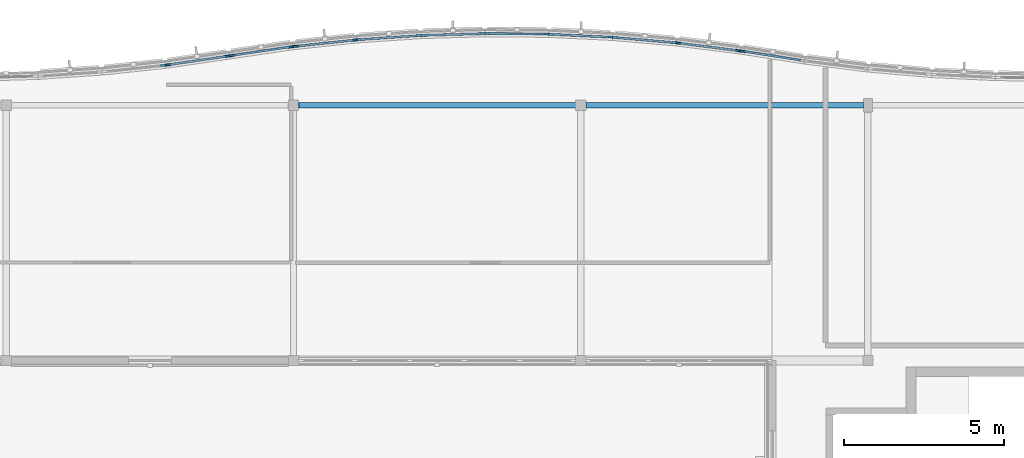
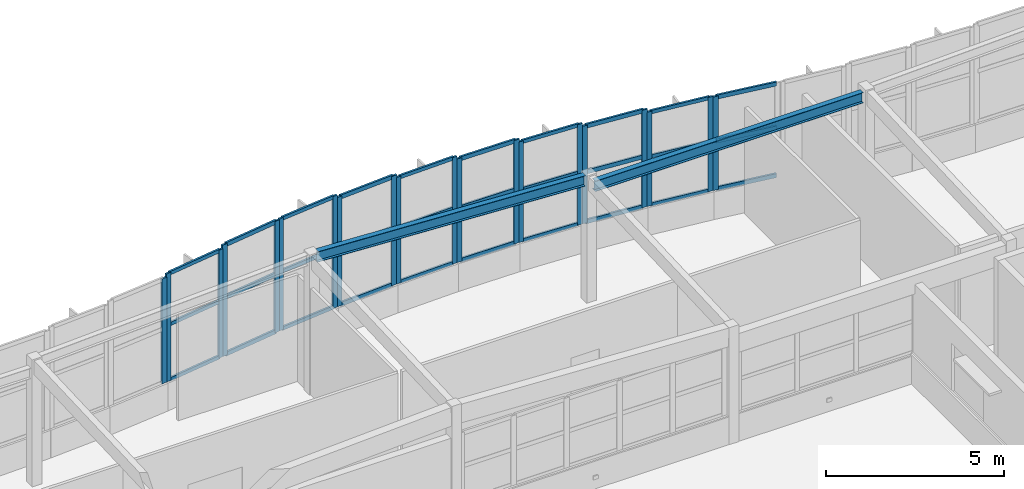
# One storey, part 7 of 20: 50 members, 2 beams, 11 elements without a shape of their own.
"""IFC4 building model written with IfcOpenShell, lengths in metres."""

import ifcopenshell
import ifcopenshell.guid

model = None  # the IFC model being written
_history = None  # IfcOwnerHistory: only IFC2X3 demands one
_inside = {}  # id of a spatial element -> (the spatial element, [elements in it])
_under = {}  # id of a project, library or spatial element -> (it, [spatial elements below it])
_declared = {}  # id of a project -> (the project, [libraries it declares])
_typed = {}  # id of a type object -> (the type object, [elements of that type])
_made_of = {}  # id of a material, layer set ... -> (it, [elements and type objects made of it])


def new_model(schema):
    """Start an empty IFC model of exactly this schema.

    Asked for "IFC4X3", IfcOpenShell would pick the latest addendum, in which some entities
    have other attributes; the version numbers below select the first issue.
    IFC2X3 requires an IfcOwnerHistory on every rooted entity: one is made here for all.
    """
    global model, _history
    if schema == "IFC4X3":
        model = ifcopenshell.file(schema_version=(4, 3, 0, 0))
    else:
        model = ifcopenshell.file(schema=schema)
    _inside.clear()
    _under.clear()
    _declared.clear()
    _typed.clear()
    _made_of.clear()
    _history = None
    if model.schema == "IFC2X3":
        org = make("IfcOrganization", Name="unknown")
        user = make(
            "IfcPersonAndOrganization",
            ThePerson=make("IfcPerson", FamilyName="unknown"),
            TheOrganization=org,
        )
        app = make(
            "IfcApplication",
            ApplicationDeveloper=org,
            Version="unknown",
            ApplicationFullName="unknown",
            ApplicationIdentifier="unknown",
        )
        _history = make(
            "IfcOwnerHistory",
            OwningUser=user,
            OwningApplication=app,
            ChangeAction="ADDED",
            CreationDate=0,
        )
    return model


def make(cls, **values):
    """One entity of the class cls with the attributes given. An attribute that is None is left unset."""
    return model.create_entity(
        cls, **{name: value for name, value in values.items() if value is not None}
    )


def rooted(cls, **values):
    """An entity with a GlobalId (a new one), such as an element, a storey or a relation."""
    return make(cls, GlobalId=ifcopenshell.guid.new(), OwnerHistory=_history, **values)


def si_unit(unit_type, name, prefix=None):
    """IfcSIUnit, for example si_unit("LENGTHUNIT", "METRE", prefix="MILLI")."""
    return make("IfcSIUnit", UnitType=unit_type, Prefix=prefix, Name=name)


def assignment(units):
    """IfcUnitAssignment: the units of a project."""
    return None if units is None else make("IfcUnitAssignment", Units=units)


def point(xyz):
    """IfcCartesianPoint."""
    return None if xyz is None else make("IfcCartesianPoint", Coordinates=xyz)


def direction(xyz):
    """IfcDirection."""
    return None if xyz is None else make("IfcDirection", DirectionRatios=xyz)


def frame(location, z_axis=None, x_axis=None):
    """IfcAxis2Placement3D, a coordinate frame: its origin and axes. An axis left out is left unset."""
    return make(
        "IfcAxis2Placement3D",
        Location=point(location),
        Axis=direction(z_axis),
        RefDirection=direction(x_axis),
    )


def frame_2d(location, x_axis=None):
    """IfcAxis2Placement2D, a coordinate frame in the plane: its origin and x axis."""
    return make(
        "IfcAxis2Placement2D", Location=point(location), RefDirection=direction(x_axis)
    )


def origin():
    """The frame at (0, 0, 0) with its axes left unset."""
    return frame((0.0, 0.0, 0.0))


def origin_2d():
    """The frame at (0, 0) in the plane with its x axis left unset."""
    return frame_2d((0.0, 0.0))


def place(relative_to, where):
    """IfcLocalPlacement: puts the frame where relative to a parent placement (None: the world)."""
    return make(
        "IfcLocalPlacement", PlacementRelTo=relative_to, RelativePlacement=where
    )


def context(
    kind, dimensions, precision=None, world=None, true_north=None, identifier=None
):
    """IfcGeometricRepresentationContext, for example the 3D "Model" context."""
    return make(
        "IfcGeometricRepresentationContext",
        ContextIdentifier=identifier,
        ContextType=kind,
        CoordinateSpaceDimension=dimensions,
        Precision=precision,
        WorldCoordinateSystem=world,
        TrueNorth=true_north,
    )


def subcontext(parent, identifier, kind, view, scale=None):
    """IfcGeometricRepresentationSubContext, for example "Body" below "Model"."""
    return make(
        "IfcGeometricRepresentationSubContext",
        ContextIdentifier=identifier,
        ContextType=kind,
        ParentContext=parent,
        TargetScale=scale,
        TargetView=view,
    )


def project(units=None, contexts=None):
    """IfcProject with its units and contexts."""
    return rooted(
        "IfcProject",
        Name="project",
        RepresentationContexts=contexts,
        UnitsInContext=assignment(units),
    )


def spatial(cls, under=None, at=None, **own):
    """A site, building, storey or space (cls), placed at a placement, below another one or the project."""
    s = rooted(cls, ObjectPlacement=at, **own)
    if under is not None:
        _under.setdefault(under.id(), (under, []))[1].append(s)
    return s


def profile(cls, at=None, kind="AREA", **sizes):
    """A parametric profile (cls). Its sizes go by their IFC names, for example OverallWidth=200.0."""
    return make(cls, ProfileType=kind, Position=at, **sizes)


def rectangle(**sizes):
    """IfcRectangleProfileDef."""
    return profile("IfcRectangleProfileDef", **sizes)


def i_section(**sizes):
    """IfcIShapeProfileDef."""
    return profile("IfcIShapeProfileDef", **sizes)


def extrude(swept, where, along, depth):
    """IfcExtrudedAreaSolid: the profile swept, set in the frame where, extruded along a direction by depth."""
    return make(
        "IfcExtrudedAreaSolid",
        SweptArea=swept,
        Position=where,
        ExtrudedDirection=direction(along),
        Depth=depth,
    )


def shape(context_of_items, identifier, shape_type, items):
    """IfcShapeRepresentation: the items that make up one representation, for example the "Body"."""
    return make(
        "IfcShapeRepresentation",
        ContextOfItems=context_of_items,
        RepresentationIdentifier=identifier,
        RepresentationType=shape_type,
        Items=items,
    )


def material(Name=None, Category=None):
    """IfcMaterial."""
    return make("IfcMaterial", Name=Name, Category=Category)


def layer(
    of_material, thickness, ventilated=None, Name=None, Category=None, Priority=None
):
    """IfcMaterialLayer: one layer of a wall or slab, of a material (None: an air gap)."""
    return make(
        "IfcMaterialLayer",
        Material=of_material,
        LayerThickness=thickness,
        IsVentilated=ventilated,
        Name=Name,
        Category=Category,
        Priority=Priority,
    )


def layer_set(layers, Name=None):
    """IfcMaterialLayerSet."""
    return make("IfcMaterialLayerSet", MaterialLayers=layers, LayerSetName=Name)


def material_profile(
    of_material, cross_section, Name=None, Category=None, Priority=None
):
    """IfcMaterialProfile: a cross section and its material."""
    return make(
        "IfcMaterialProfile",
        Name=Name,
        Material=of_material,
        Profile=cross_section,
        Priority=Priority,
        Category=Category,
    )


def profile_set(profiles, Name=None, composite=None):
    """IfcMaterialProfileSet."""
    return make(
        "IfcMaterialProfileSet",
        Name=Name,
        MaterialProfiles=profiles,
        CompositeProfile=composite,
    )


def made_of(thing, what):
    """Note that an element or type object is made of a material, layer set ...; save() writes the relation."""
    if what is not None:
        _made_of.setdefault(what.id(), (what, []))[1].append(thing)
    return thing


def type_object(cls, material=None, **own):
    """A type object (cls), such as IfcWallType, which elements share."""
    return made_of(rooted(cls, **own), material)


def element(
    cls,
    number,
    at=None,
    inside=None,
    cuts=None,
    type_object=None,
    material=None,
    context=None,
    identifier="Body",
    shape_type=None,
    held_by="IfcProductDefinitionShape",
    body=None,
    shapes=None,
    **own,
):
    """One element of the class cls, such as IfcWall. Its Tag is "e" and its number.

    at: its placement. inside: the storey or other place that contains it. cuts: it is an
    opening in that element (IfcRelVoidsElement). A single representation is given by context,
    identifier, shape_type and body (its items); several are given by shapes. held_by: the class
    of the entity that holds the representations. save() writes the other relations.
    """
    e = rooted(cls, Tag="e%d" % number, ObjectPlacement=at, **own)
    if body is not None:
        shapes = [shape(context, identifier, shape_type, body)]
    if shapes is not None:
        e.Representation = make(held_by, Representations=shapes)
    if inside is not None:
        _inside.setdefault(inside.id(), (inside, []))[1].append(e)
    if cuts is not None:
        rooted(
            "IfcRelVoidsElement", RelatingBuildingElement=cuts, RelatedOpeningElement=e
        )
    if type_object is not None:
        _typed.setdefault(type_object.id(), (type_object, []))[1].append(e)
    return made_of(e, material)


def aggregate(whole, parts):
    """IfcRelAggregates: a whole, such as a stair, and the parts it consists of."""
    return rooted("IfcRelAggregates", RelatingObject=whole, RelatedObjects=parts)


def save(model, path):
    """Write the relations noted so far, then the file.

    IfcRelAggregates (storeys below a building ...), IfcRelContainedInSpatialStructure (elements
    in a storey), IfcRelDefinesByType, IfcRelAssociatesMaterial and IfcRelDeclares: one each for
    every whole, place, type object, material and project.
    """
    for whole, parts in _under.values():
        aggregate(whole, parts)
    for where, things in _inside.values():
        rooted(
            "IfcRelContainedInSpatialStructure",
            RelatedElements=things,
            RelatingStructure=where,
        )
    for kind, things in _typed.values():
        rooted("IfcRelDefinesByType", RelatedObjects=things, RelatingType=kind)
    for what, things in _made_of.values():
        rooted("IfcRelAssociatesMaterial", RelatedObjects=things, RelatingMaterial=what)
    for by, libraries in _declared.values():
        rooted("IfcRelDeclares", RelatingContext=by, RelatedDefinitions=libraries)
    model.write(path)


model = new_model("IFC4")

# Units and contexts
model_context = context("Model", 3, precision=1e-05, world=origin(), true_north=direction((0.0, 1.0)))
body_context = subcontext(model_context, "Body", "Model", "MODEL_VIEW")
ifc_project = project(units=[si_unit("LENGTHUNIT", "METRE"), si_unit("AREAUNIT", "SQUARE_METRE"), si_unit("VOLUMEUNIT", "CUBIC_METRE"), si_unit("PLANEANGLEUNIT", "RADIAN"), si_unit("MASSUNIT", "GRAM", prefix="KILO")], contexts=[model_context])

# Site, building, storey
site_placement = place(None, origin())
site = spatial("IfcSite", under=ifc_project, at=site_placement, CompositionType="ELEMENT")
building_placement = place(site_placement, origin())
building = spatial("IfcBuilding", under=site, at=building_placement, Name="Tonlespit Floodbar School", CompositionType="ELEMENT")
storey_placement = place(building_placement, frame((0.0, 0.0, 20.10009765625)))
storey = spatial("IfcBuildingStorey", under=building, at=storey_placement, Name="L05", CompositionType="ELEMENT", Elevation=20.10009765625)

# Curtain wall, members
ifc_material_1 = material(Name="Anodised Aluminium", Category="aluminium")
ifc_layer_1 = layer(ifc_material_1, 0.159912109375)
ifc_layer_set_1 = layer_set([ifc_layer_1], Name="Anodised Aluminium")
curtain_wall_type_1 = type_object("IfcCurtainWallType", Name="CurtainWall_1950x3700", PredefinedType="NOTDEFINED", material=ifc_layer_set_1)
curtain_wall_1_placement = place(storey_placement, origin())
curtain_wall_1 = element("IfcCurtainWall", 1, at=curtain_wall_1_placement, inside=storey, type_object=curtain_wall_type_1, Name="L05 unitised curtain wall 0224", PredefinedType="NOTDEFINED")
ifc_material_profile_1 = material_profile(ifc_material_1, rectangle(XDim=0.06494140625, YDim=0.14990234375, at=origin_2d()), Name="ALU M65x150")
ifc_profile_set_1 = profile_set([ifc_material_profile_1], Name="Anodised Aluminium")
member_type_1 = type_object("IfcMemberType", Name="CW_Mullion_65x150", PredefinedType="MULLION", material=ifc_profile_set_1)
member_1_placement = place(storey_placement, frame((76.07177734375, 121.268798828125, 0.949951171875), z_axis=(0.0, 0.0, 1.0), x_axis=(-0.144248041079, 0.989541561858, 0.0)))
member_1 = element("IfcMember", 2, at=member_1_placement, type_object=member_type_1, Name="CW-22 mullion 1", PredefinedType="MULLION", context=body_context, shape_type="SweptSolid", body=[
    extrude(rectangle(XDim=0.06494140625, YDim=0.14990234375, at=origin_2d()), origin(), (0.0, 0.0, 1.0), 3.708984375),
])
member_2_placement = place(storey_placement, frame((77.92822265625, 121.53955078125, 0.949951171875), z_axis=(0.0, 0.0, 1.0), x_axis=(-0.144248041079, 0.989541561858, 0.0)))
member_2 = element("IfcMember", 3, at=member_2_placement, type_object=member_type_1, Name="CW-22 mullion 2", PredefinedType="MULLION", context=body_context, shape_type="SweptSolid", body=[
    extrude(rectangle(XDim=0.06494140625, YDim=0.14990234375, at=origin_2d()), origin(), (0.0, 0.0, 1.0), 3.708984375),
])

ifc_layer_2 = layer(ifc_material_1, 0.159912109375)
ifc_layer_set_2 = layer_set([ifc_layer_2], Name="Anodised Aluminium")
curtain_wall_type_2 = type_object("IfcCurtainWallType", Name="CurtainWall_1950x3850", PredefinedType="NOTDEFINED", material=ifc_layer_set_2)
curtain_wall_2_placement = place(storey_placement, origin())
curtain_wall_2 = element("IfcCurtainWall", 4, at=curtain_wall_2_placement, inside=storey, type_object=curtain_wall_type_2, Name="L05 unitised curtain wall 0226", PredefinedType="NOTDEFINED")
member_3_placement = place(storey_placement, frame((80.072021484375, 121.84912109375, 0.949951171875), z_axis=(0.0, 0.0, 1.0), x_axis=(-0.105787143968, 0.994388797288, 0.0)))
member_3 = element("IfcMember", 5, at=member_3_placement, type_object=member_type_1, Name="CW-09 mullion 1", PredefinedType="MULLION", context=body_context, shape_type="SweptSolid", body=[
    extrude(rectangle(XDim=0.06494140625, YDim=0.14990234375, at=origin_2d()), origin(), (0.0, 0.0, 1.0), 3.842041015625),
])
member_4_placement = place(storey_placement, frame((81.927978515625, 122.046630859375, 0.949951171875), z_axis=(0.0, 0.0, 1.0), x_axis=(-0.105787143968, 0.994388797288, 0.0)))
member_4 = element("IfcMember", 6, at=member_4_placement, type_object=member_type_1, Name="CW-09 mullion 2", PredefinedType="MULLION", context=body_context, shape_type="SweptSolid", body=[
    extrude(rectangle(XDim=0.06494140625, YDim=0.14990234375, at=origin_2d()), origin(), (0.0, 0.0, 1.0), 3.842041015625),
])

ifc_layer_3 = layer(ifc_material_1, 0.159912109375)
ifc_layer_set_3 = layer_set([ifc_layer_3], Name="Anodised Aluminium")
curtain_wall_type_3 = type_object("IfcCurtainWallType", Name="CurtainWall_1900x3650", PredefinedType="NOTDEFINED", material=ifc_layer_set_3)
curtain_wall_3_placement = place(storey_placement, origin())
curtain_wall_3 = element("IfcCurtainWall", 7, at=curtain_wall_3_placement, inside=storey, type_object=curtain_wall_type_3, Name="L05 unitised curtain wall 0228", PredefinedType="NOTDEFINED")
member_5_placement = place(storey_placement, frame((84.072509765625, 122.19140625, 0.949951171875), z_axis=(0.0, 0.0, 1.0), x_axis=(-0.028790144226, 0.999585477883, 0.0)))
member_5 = element("IfcMember", 8, at=member_5_placement, type_object=member_type_1, Name="CW-12 mullion 1", PredefinedType="MULLION", context=body_context, shape_type="SweptSolid", body=[
    extrude(rectangle(XDim=0.06494140625, YDim=0.14990234375, at=origin_2d()), origin(), (0.0, 0.0, 1.0), 3.653076171875),
])
member_6_placement = place(storey_placement, frame((85.927490234375, 122.244873046875, 0.949951171875), z_axis=(0.0, 0.0, 1.0), x_axis=(-0.028790144226, 0.999585477883, 0.0)))
member_6 = element("IfcMember", 9, at=member_6_placement, type_object=member_type_1, Name="CW-12 mullion 2", PredefinedType="MULLION", context=body_context, shape_type="SweptSolid", body=[
    extrude(rectangle(XDim=0.06494140625, YDim=0.14990234375, at=origin_2d()), origin(), (0.0, 0.0, 1.0), 3.653076171875),
])

ifc_layer_4 = layer(ifc_material_1, 0.159912109375)
ifc_layer_set_4 = layer_set([ifc_layer_4], Name="Anodised Aluminium")
curtain_wall_type_4 = type_object("IfcCurtainWallType", Name="CurtainWall_1900x3450", PredefinedType="NOTDEFINED", material=ifc_layer_set_4)
curtain_wall_4_placement = place(storey_placement, origin())
curtain_wall_4 = element("IfcCurtainWall", 10, at=curtain_wall_4_placement, inside=storey, type_object=curtain_wall_type_4, Name="L05 unitised curtain wall 0230", PredefinedType="NOTDEFINED")
member_7_placement = place(storey_placement, frame((88.072509765625, 122.224365234375, 0.949951171875), z_axis=(0.0, 0.0, 1.0), x_axis=(0.048121270216, 0.998841500616, 0.0)))
member_7 = element("IfcMember", 11, at=member_7_placement, type_object=member_type_1, Name="CW-23 mullion 1", PredefinedType="MULLION", context=body_context, shape_type="SweptSolid", body=[
    extrude(rectangle(XDim=0.06494140625, YDim=0.14990234375, at=origin_2d()), origin(), (0.0, 0.0, 1.0), 3.45068359375),
])
member_8_placement = place(storey_placement, frame((89.927490234375, 122.135009765625, 0.949951171875), z_axis=(0.0, 0.0, 1.0), x_axis=(0.048121270216, 0.998841500616, 0.0)))
member_8 = element("IfcMember", 12, at=member_8_placement, type_object=member_type_1, Name="CW-23 mullion 2", PredefinedType="MULLION", context=body_context, shape_type="SweptSolid", body=[
    extrude(rectangle(XDim=0.06494140625, YDim=0.14990234375, at=origin_2d()), origin(), (0.0, 0.0, 1.0), 3.45068359375),
])

ifc_layer_5 = layer(ifc_material_1, 0.159912109375)
ifc_layer_set_5 = layer_set([ifc_layer_5], Name="Anodised Aluminium")
curtain_wall_type_5 = type_object("IfcCurtainWallType", Name="CurtainWall_1950x3250", PredefinedType="NOTDEFINED", material=ifc_layer_set_5)
curtain_wall_5_placement = place(storey_placement, origin())
curtain_wall_5 = element("IfcCurtainWall", 13, at=curtain_wall_5_placement, inside=storey, type_object=curtain_wall_type_5, Name="L05 unitised curtain wall 0232", PredefinedType="NOTDEFINED")
member_9_placement = place(storey_placement, frame((92.072021484375, 121.94873046875, 0.949951171875), z_axis=(0.0, 0.0, 1.0), x_axis=(0.125013803299, 0.992155002499, 0.0)))
member_9 = element("IfcMember", 14, at=member_9_placement, type_object=member_type_1, Name="CW-24 mullion 1", PredefinedType="MULLION", context=body_context, shape_type="SweptSolid", body=[
    extrude(rectangle(XDim=0.06494140625, YDim=0.14990234375, at=origin_2d()), origin(), (0.0, 0.0, 1.0), 3.23486328125),
])
member_10_placement = place(storey_placement, frame((93.927978515625, 121.71484375, 0.949951171875), z_axis=(0.0, 0.0, 1.0), x_axis=(0.125013803299, 0.992155002499, 0.0)))
member_10 = element("IfcMember", 15, at=member_10_placement, type_object=member_type_1, Name="CW-24 mullion 2", PredefinedType="MULLION", context=body_context, shape_type="SweptSolid", body=[
    extrude(rectangle(XDim=0.06494140625, YDim=0.14990234375, at=origin_2d()), origin(), (0.0, 0.0, 1.0), 3.23486328125),
])

# Curtain wall, member
ifc_layer_6 = layer(ifc_material_1, 0.159912109375)
ifc_layer_set_6 = layer_set([ifc_layer_6], Name="Anodised Aluminium")
curtain_wall_type_6 = type_object("IfcCurtainWallType", Name="CurtainWall_1950x3600", PredefinedType="NOTDEFINED", material=ifc_layer_set_6)
curtain_wall_6_placement = place(storey_placement, origin())
curtain_wall_6 = element("IfcCurtainWall", 16, at=curtain_wall_6_placement, inside=storey, type_object=curtain_wall_type_6, Name="L05 unitised curtain wall 0223", PredefinedType="NOTDEFINED")
ifc_material_profile_2 = material_profile(ifc_material_1, rectangle(XDim=0.06494140625, YDim=0.179931640625, at=origin_2d()), Name="ALU M65x180")
ifc_profile_set_2 = profile_set([ifc_material_profile_2], Name="Anodised Aluminium")
member_type_2 = type_object("IfcMemberType", Name="CW_Mullion_65x180", PredefinedType="MULLION", material=ifc_profile_set_2)
member_11_placement = place(storey_placement, frame((75.927978515625, 121.250732421875, 0.949951171875), z_axis=(0.0, 0.0, 1.0), x_axis=(-0.105787143968, 0.994388797288, 0.0)))
member_11 = element("IfcMember", 17, at=member_11_placement, type_object=member_type_2, Name="CW-21 mullion 2", PredefinedType="MULLION", context=body_context, shape_type="SweptSolid", body=[
    extrude(rectangle(XDim=0.06494140625, YDim=0.179931640625, at=origin_2d()), origin(), (0.0, 0.0, 1.0), 3.60107421875),
])
aggregate(curtain_wall_6, [member_11])

# Curtain wall, members
ifc_layer_7 = layer(ifc_material_1, 0.159912109375)
ifc_layer_set_7 = layer_set([ifc_layer_7], Name="Anodised Aluminium")
curtain_wall_type_7 = type_object("IfcCurtainWallType", Name="CurtainWall_1950x3800", PredefinedType="NOTDEFINED", material=ifc_layer_set_7)
curtain_wall_7_placement = place(storey_placement, origin())
curtain_wall_7 = element("IfcCurtainWall", 18, at=curtain_wall_7_placement, inside=storey, type_object=curtain_wall_type_7, Name="L05 unitised curtain wall 0225", PredefinedType="NOTDEFINED")
member_12_placement = place(storey_placement, frame((78.07177734375, 121.560546875, 0.949951171875), z_axis=(0.0, 0.0, 1.0), x_axis=(-0.144248041079, 0.989541561858, 0.0)))
member_12 = element("IfcMember", 19, at=member_12_placement, type_object=member_type_2, Name="CW-10 mullion 1", PredefinedType="MULLION", context=body_context, shape_type="SweptSolid", body=[
    extrude(rectangle(XDim=0.06494140625, YDim=0.179931640625, at=origin_2d()), origin(), (0.0, 0.0, 1.0), 3.8203125),
])
member_13_placement = place(storey_placement, frame((79.92822265625, 121.8310546875, 0.949951171875), z_axis=(0.0, 0.0, 1.0), x_axis=(-0.144248041079, 0.989541561858, 0.0)))
member_13 = element("IfcMember", 20, at=member_13_placement, type_object=member_type_2, Name="CW-10 mullion 2", PredefinedType="MULLION", context=body_context, shape_type="SweptSolid", body=[
    extrude(rectangle(XDim=0.06494140625, YDim=0.179931640625, at=origin_2d()), origin(), (0.0, 0.0, 1.0), 3.8203125),
])

ifc_layer_8 = layer(ifc_material_1, 0.159912109375)
ifc_layer_set_8 = layer_set([ifc_layer_8], Name="Anodised Aluminium")
curtain_wall_type_8 = type_object("IfcCurtainWallType", Name="CurtainWall_1900x3750", PredefinedType="NOTDEFINED", material=ifc_layer_set_8)
curtain_wall_8_placement = place(storey_placement, origin())
curtain_wall_8 = element("IfcCurtainWall", 21, at=curtain_wall_8_placement, inside=storey, type_object=curtain_wall_type_8, Name="L05 unitised curtain wall 0227", PredefinedType="NOTDEFINED")
member_14_placement = place(storey_placement, frame((82.072265625, 122.05908203125, 0.949951171875), z_axis=(0.0, 0.0, 1.0), x_axis=(-0.067339767311, 0.99773010165, 0.0)))
member_14 = element("IfcMember", 22, at=member_14_placement, type_object=member_type_2, Name="CW-11 mullion 1", PredefinedType="MULLION", context=body_context, shape_type="SweptSolid", body=[
    extrude(rectangle(XDim=0.06494140625, YDim=0.179931640625, at=origin_2d()), origin(), (0.0, 0.0, 1.0), 3.749267578125),
])
member_15_placement = place(storey_placement, frame((83.927734375, 122.184326171875, 0.949951171875), z_axis=(0.0, 0.0, 1.0), x_axis=(-0.067339767311, 0.99773010165, 0.0)))
member_15 = element("IfcMember", 23, at=member_15_placement, type_object=member_type_2, Name="CW-11 mullion 2", PredefinedType="MULLION", context=body_context, shape_type="SweptSolid", body=[
    extrude(rectangle(XDim=0.06494140625, YDim=0.179931640625, at=origin_2d()), origin(), (0.0, 0.0, 1.0), 3.749267578125),
])

ifc_layer_9 = layer(ifc_material_1, 0.159912109375)
ifc_layer_set_9 = layer_set([ifc_layer_9], Name="Anodised Aluminium")
curtain_wall_type_9 = type_object("IfcCurtainWallType", Name="CurtainWall_1900x3550", PredefinedType="NOTDEFINED", material=ifc_layer_set_9)
curtain_wall_9_placement = place(storey_placement, origin())
curtain_wall_9 = element("IfcCurtainWall", 24, at=curtain_wall_9_placement, inside=storey, type_object=curtain_wall_type_9, Name="L05 unitised curtain wall 0229", PredefinedType="NOTDEFINED")
member_16_placement = place(storey_placement, frame((86.072509765625, 122.246337890625, 0.949951171875), z_axis=(0.0, 0.0, 1.0), x_axis=(0.009582893292, 0.999954083024, 0.0)))
member_16 = element("IfcMember", 25, at=member_16_placement, type_object=member_type_2, Name="CW-14 mullion 1", PredefinedType="MULLION", context=body_context, shape_type="SweptSolid", body=[
    extrude(rectangle(XDim=0.06494140625, YDim=0.179931640625, at=origin_2d()), origin(), (0.0, 0.0, 1.0), 3.553466796875),
])
member_17_placement = place(storey_placement, frame((87.927490234375, 122.228515625, 0.949951171875), z_axis=(0.0, 0.0, 1.0), x_axis=(0.009582893292, 0.999954083024, 0.0)))
member_17 = element("IfcMember", 26, at=member_17_placement, type_object=member_type_2, Name="CW-14 mullion 2", PredefinedType="MULLION", context=body_context, shape_type="SweptSolid", body=[
    extrude(rectangle(XDim=0.06494140625, YDim=0.179931640625, at=origin_2d()), origin(), (0.0, 0.0, 1.0), 3.553466796875),
])

ifc_layer_10 = layer(ifc_material_1, 0.159912109375)
ifc_layer_set_10 = layer_set([ifc_layer_10], Name="Anodised Aluminium")
curtain_wall_type_10 = type_object("IfcCurtainWallType", Name="CurtainWall_1950x3350", PredefinedType="NOTDEFINED", material=ifc_layer_set_10)
curtain_wall_10_placement = place(storey_placement, origin())
curtain_wall_10 = element("IfcCurtainWall", 27, at=curtain_wall_10_placement, inside=storey, type_object=curtain_wall_type_10, Name="L05 unitised curtain wall 0231", PredefinedType="NOTDEFINED")
member_18_placement = place(storey_placement, frame((90.072265625, 122.125244140625, 0.949951171875), z_axis=(0.0, 0.0, 1.0), x_axis=(0.086531117454, 0.996249148412, 0.0)))
member_18 = element("IfcMember", 28, at=member_18_placement, type_object=member_type_2, Name="CW-16 mullion 1", PredefinedType="MULLION", context=body_context, shape_type="SweptSolid", body=[
    extrude(rectangle(XDim=0.06494140625, YDim=0.179931640625, at=origin_2d()), origin(), (0.0, 0.0, 1.0), 3.344482421875),
])
member_19_placement = place(storey_placement, frame((91.927734375, 121.964111328125, 0.949951171875), z_axis=(0.0, 0.0, 1.0), x_axis=(0.086531117454, 0.996249148412, 0.0)))
member_19 = element("IfcMember", 29, at=member_19_placement, type_object=member_type_2, Name="CW-16 mullion 2", PredefinedType="MULLION", context=body_context, shape_type="SweptSolid", body=[
    extrude(rectangle(XDim=0.06494140625, YDim=0.179931640625, at=origin_2d()), origin(), (0.0, 0.0, 1.0), 3.344482421875),
])

# Curtain wall, member
ifc_layer_11 = layer(ifc_material_1, 0.159912109375)
ifc_layer_set_11 = layer_set([ifc_layer_11], Name="Anodised Aluminium")
curtain_wall_type_11 = type_object("IfcCurtainWallType", Name="CurtainWall_1950x3200", PredefinedType="NOTDEFINED", material=ifc_layer_set_11)
curtain_wall_11_placement = place(storey_placement, origin())
curtain_wall_11 = element("IfcCurtainWall", 30, at=curtain_wall_11_placement, inside=storey, type_object=curtain_wall_type_11, Name="L05 unitised curtain wall 0233", PredefinedType="NOTDEFINED")
member_20_placement = place(storey_placement, frame((94.071533203125, 121.694580078125, 0.949951171875), z_axis=(0.0, 0.0, 1.0), x_axis=(0.153796288585, 0.988102576465, 0.0)))
member_20 = element("IfcMember", 31, at=member_20_placement, type_object=member_type_2, Name="CW-17 mullion 1", PredefinedType="MULLION", context=body_context, shape_type="SweptSolid", body=[
    extrude(rectangle(XDim=0.06494140625, YDim=0.179931640625, at=origin_2d()), origin(), (0.0, 0.0, 1.0), 3.208984375),
])

# Member
ifc_material_profile_3 = material_profile(ifc_material_1, rectangle(XDim=0.06494140625, YDim=0.1201171875, at=origin_2d()), Name="ALU T65x120")
ifc_profile_set_3 = profile_set([ifc_material_profile_3], Name="Anodised Aluminium")
member_type_3 = type_object("IfcMemberType", Name="CW_Transom_65x120", PredefinedType="USERDEFINED", material=ifc_profile_set_3)
member_21_placement = place(storey_placement, frame((76.10400390625, 121.273681640625, 0.982421875), z_axis=(0.989541000818, 0.144251889765, 0.0), x_axis=(-0.144251889765, 0.989541000818, 0.0)))
member_21 = element("IfcMember", 32, at=member_21_placement, type_object=member_type_3, Name="CW-22 transom 1.1", ObjectType="TRANSOM", PredefinedType="USERDEFINED", context=body_context, shape_type="SweptSolid", body=[
    extrude(rectangle(XDim=0.06494140625, YDim=0.1201171875, at=origin_2d()), origin(), (0.0, 0.0, 1.0), 1.81103515625),
])

member_22_placement = place(storey_placement, frame((76.10400390625, 121.273681640625, 2.878662109375), z_axis=(0.989541000818, 0.144251889765, 0.0), x_axis=(-0.144251889765, 0.989541000818, 0.0)))
member_22 = element("IfcMember", 33, at=member_22_placement, type_object=member_type_3, Name="CW-22 transom 1.2", ObjectType="TRANSOM", PredefinedType="USERDEFINED", context=body_context, shape_type="SweptSolid", body=[
    extrude(rectangle(XDim=0.06494140625, YDim=0.1201171875, at=origin_2d()), origin(), (0.0, 0.0, 1.0), 1.81103515625),
])

member_23_placement = place(storey_placement, frame((76.10400390625, 121.273681640625, 4.62646484375), z_axis=(0.989541000818, 0.144251889765, 0.0), x_axis=(-0.144251889765, 0.989541000818, 0.0)))
member_23 = element("IfcMember", 34, at=member_23_placement, type_object=member_type_3, Name="CW-22 transom 1.3", ObjectType="TRANSOM", PredefinedType="USERDEFINED", context=body_context, shape_type="SweptSolid", body=[
    extrude(rectangle(XDim=0.06494140625, YDim=0.1201171875, at=origin_2d()), origin(), (0.0, 0.0, 1.0), 1.81103515625),
])

aggregate(curtain_wall_1, [member_1, member_2, member_21, member_22, member_23])

member_24_placement = place(storey_placement, frame((80.1044921875, 121.852783203125, 0.982421875), z_axis=(0.994394979136, 0.105729019047, 0.0), x_axis=(-0.105729019047, 0.994394979136, 0.0)))
member_24 = element("IfcMember", 35, at=member_24_placement, type_object=member_type_3, Name="CW-09 transom 1.1", ObjectType="TRANSOM", PredefinedType="USERDEFINED", context=body_context, shape_type="SweptSolid", body=[
    extrude(rectangle(XDim=0.06494140625, YDim=0.1201171875, at=origin_2d()), origin(), (0.0, 0.0, 1.0), 1.801025390625),
])

member_25_placement = place(storey_placement, frame((80.1044921875, 121.852783203125, 2.94775390625), z_axis=(0.994394979136, 0.105729019047, 0.0), x_axis=(-0.105729019047, 0.994394979136, 0.0)))
member_25 = element("IfcMember", 36, at=member_25_placement, type_object=member_type_3, Name="CW-09 transom 1.2", ObjectType="TRANSOM", PredefinedType="USERDEFINED", context=body_context, shape_type="SweptSolid", body=[
    extrude(rectangle(XDim=0.06494140625, YDim=0.1201171875, at=origin_2d()), origin(), (0.0, 0.0, 1.0), 1.801025390625),
])

member_26_placement = place(storey_placement, frame((80.1044921875, 121.852783203125, 4.759521484375), z_axis=(0.994394979136, 0.105729019047, 0.0), x_axis=(-0.105729019047, 0.994394979136, 0.0)))
member_26 = element("IfcMember", 37, at=member_26_placement, type_object=member_type_3, Name="CW-09 transom 1.3", ObjectType="TRANSOM", PredefinedType="USERDEFINED", context=body_context, shape_type="SweptSolid", body=[
    extrude(rectangle(XDim=0.06494140625, YDim=0.1201171875, at=origin_2d()), origin(), (0.0, 0.0, 1.0), 1.801025390625),
])

aggregate(curtain_wall_2, [member_3, member_4, member_24, member_25, member_26])

member_27_placement = place(storey_placement, frame((84.10498046875, 122.1923828125, 0.982421875), z_axis=(0.999586171543, 0.02876605049, 0.0), x_axis=(-0.02876605049, 0.999586171543, 0.0)))
member_27 = element("IfcMember", 38, at=member_27_placement, type_object=member_type_3, Name="CW-12 transom 1.1", ObjectType="TRANSOM", PredefinedType="USERDEFINED", context=body_context, shape_type="SweptSolid", body=[
    extrude(rectangle(XDim=0.06494140625, YDim=0.1201171875, at=origin_2d()), origin(), (0.0, 0.0, 1.0), 1.790771484375),
])

member_28_placement = place(storey_placement, frame((84.10498046875, 122.1923828125, 2.849609375), z_axis=(0.999586171543, 0.02876605049, 0.0), x_axis=(-0.02876605049, 0.999586171543, 0.0)))
member_28 = element("IfcMember", 39, at=member_28_placement, type_object=member_type_3, Name="CW-12 transom 1.2", ObjectType="TRANSOM", PredefinedType="USERDEFINED", context=body_context, shape_type="SweptSolid", body=[
    extrude(rectangle(XDim=0.06494140625, YDim=0.1201171875, at=origin_2d()), origin(), (0.0, 0.0, 1.0), 1.790771484375),
])

member_29_placement = place(storey_placement, frame((84.10498046875, 122.1923828125, 4.570556640625), z_axis=(0.999586171543, 0.02876605049, 0.0), x_axis=(-0.02876605049, 0.999586171543, 0.0)))
member_29 = element("IfcMember", 40, at=member_29_placement, type_object=member_type_3, Name="CW-12 transom 1.3", ObjectType="TRANSOM", PredefinedType="USERDEFINED", context=body_context, shape_type="SweptSolid", body=[
    extrude(rectangle(XDim=0.06494140625, YDim=0.1201171875, at=origin_2d()), origin(), (0.0, 0.0, 1.0), 1.790771484375),
])

aggregate(curtain_wall_3, [member_5, member_6, member_27, member_28, member_29])

member_30_placement = place(storey_placement, frame((88.10498046875, 122.22265625, 0.982421875), z_axis=(0.998843034795, -0.048089415069, 0.0), x_axis=(0.048089415069, 0.998843034795, 0.0)))
member_30 = element("IfcMember", 41, at=member_30_placement, type_object=member_type_3, Name="CW-23 transom 1.1", ObjectType="TRANSOM", PredefinedType="USERDEFINED", context=body_context, shape_type="SweptSolid", body=[
    extrude(rectangle(XDim=0.06494140625, YDim=0.1201171875, at=origin_2d()), origin(), (0.0, 0.0, 1.0), 1.7919921875),
])

member_31_placement = place(storey_placement, frame((88.10498046875, 122.22265625, 2.744384765625), z_axis=(0.998843034795, -0.048089415069, 0.0), x_axis=(0.048089415069, 0.998843034795, 0.0)))
member_31 = element("IfcMember", 42, at=member_31_placement, type_object=member_type_3, Name="CW-23 transom 1.2", ObjectType="TRANSOM", PredefinedType="USERDEFINED", context=body_context, shape_type="SweptSolid", body=[
    extrude(rectangle(XDim=0.06494140625, YDim=0.1201171875, at=origin_2d()), origin(), (0.0, 0.0, 1.0), 1.7919921875),
])

member_32_placement = place(storey_placement, frame((88.10498046875, 122.22265625, 4.3681640625), z_axis=(0.998843034795, -0.048089415069, 0.0), x_axis=(0.048089415069, 0.998843034795, 0.0)))
member_32 = element("IfcMember", 43, at=member_32_placement, type_object=member_type_3, Name="CW-23 transom 1.3", ObjectType="TRANSOM", PredefinedType="USERDEFINED", context=body_context, shape_type="SweptSolid", body=[
    extrude(rectangle(XDim=0.06494140625, YDim=0.1201171875, at=origin_2d()), origin(), (0.0, 0.0, 1.0), 1.7919921875),
])

aggregate(curtain_wall_4, [member_7, member_8, member_30, member_31, member_32])

member_33_placement = place(storey_placement, frame((92.104248046875, 121.944580078125, 0.982421875), z_axis=(0.992148373735, -0.125066400341, 0.0), x_axis=(0.125066400341, 0.992148373735, 0.0)))
member_33 = element("IfcMember", 44, at=member_33_placement, type_object=member_type_3, Name="CW-24 transom 1.1", ObjectType="TRANSOM", PredefinedType="USERDEFINED", context=body_context, shape_type="SweptSolid", body=[
    extrude(rectangle(XDim=0.06494140625, YDim=0.1201171875, at=origin_2d()), origin(), (0.0, 0.0, 1.0), 1.8056640625),
])

member_34_placement = place(storey_placement, frame((92.104248046875, 121.944580078125, 2.632080078125), z_axis=(0.992148373735, -0.125066400341, 0.0), x_axis=(0.125066400341, 0.992148373735, 0.0)))
member_34 = element("IfcMember", 45, at=member_34_placement, type_object=member_type_3, Name="CW-24 transom 1.2", ObjectType="TRANSOM", PredefinedType="USERDEFINED", context=body_context, shape_type="SweptSolid", body=[
    extrude(rectangle(XDim=0.06494140625, YDim=0.1201171875, at=origin_2d()), origin(), (0.0, 0.0, 1.0), 1.8056640625),
])

member_35_placement = place(storey_placement, frame((92.104248046875, 121.944580078125, 4.15234375), z_axis=(0.992148373735, -0.125066400341, 0.0), x_axis=(0.125066400341, 0.992148373735, 0.0)))
member_35 = element("IfcMember", 46, at=member_35_placement, type_object=member_type_3, Name="CW-24 transom 1.3", ObjectType="TRANSOM", PredefinedType="USERDEFINED", context=body_context, shape_type="SweptSolid", body=[
    extrude(rectangle(XDim=0.06494140625, YDim=0.1201171875, at=origin_2d()), origin(), (0.0, 0.0, 1.0), 1.8056640625),
])

aggregate(curtain_wall_5, [member_9, member_10, member_33, member_34, member_35])

ifc_material_profile_4 = material_profile(ifc_material_1, rectangle(XDim=0.06494140625, YDim=0.139892578125, at=origin_2d()), Name="ALU T65x140")
ifc_profile_set_4 = profile_set([ifc_material_profile_4], Name="Anodised Aluminium")
member_type_4 = type_object("IfcMemberType", Name="CW_Transom_65x140", PredefinedType="USERDEFINED", material=ifc_profile_set_4)
member_36_placement = place(storey_placement, frame((78.10400390625, 121.565185546875, 0.982421875), z_axis=(0.989541000818, 0.144251889765, 0.0), x_axis=(-0.144251889765, 0.989541000818, 0.0)))
member_36 = element("IfcMember", 47, at=member_36_placement, type_object=member_type_4, Name="CW-10 transom 1.1", ObjectType="TRANSOM", PredefinedType="USERDEFINED", context=body_context, shape_type="SweptSolid", body=[
    extrude(rectangle(XDim=0.06494140625, YDim=0.139892578125, at=origin_2d()), origin(), (0.0, 0.0, 1.0), 1.81103515625),
])

member_37_placement = place(storey_placement, frame((78.10400390625, 121.565185546875, 2.9365234375), z_axis=(0.989541000818, 0.144251889765, 0.0), x_axis=(-0.144251889765, 0.989541000818, 0.0)))
member_37 = element("IfcMember", 48, at=member_37_placement, type_object=member_type_4, Name="CW-10 transom 1.2", ObjectType="TRANSOM", PredefinedType="USERDEFINED", context=body_context, shape_type="SweptSolid", body=[
    extrude(rectangle(XDim=0.06494140625, YDim=0.139892578125, at=origin_2d()), origin(), (0.0, 0.0, 1.0), 1.81103515625),
])

member_38_placement = place(storey_placement, frame((78.10400390625, 121.565185546875, 4.73779296875), z_axis=(0.989541000818, 0.144251889765, 0.0), x_axis=(-0.144251889765, 0.989541000818, 0.0)))
member_38 = element("IfcMember", 49, at=member_38_placement, type_object=member_type_4, Name="CW-10 transom 1.3", ObjectType="TRANSOM", PredefinedType="USERDEFINED", context=body_context, shape_type="SweptSolid", body=[
    extrude(rectangle(XDim=0.06494140625, YDim=0.139892578125, at=origin_2d()), origin(), (0.0, 0.0, 1.0), 1.81103515625),
])

aggregate(curtain_wall_7, [member_12, member_13, member_36, member_37, member_38])

member_39_placement = place(storey_placement, frame((82.104736328125, 122.061279296875, 0.982421875), z_axis=(0.997730041674, 0.067340655935, 0.0), x_axis=(-0.067340655935, 0.997730041674, 0.0)))
member_39 = element("IfcMember", 50, at=member_39_placement, type_object=member_type_4, Name="CW-11 transom 1.1", ObjectType="TRANSOM", PredefinedType="USERDEFINED", context=body_context, shape_type="SweptSolid", body=[
    extrude(rectangle(XDim=0.06494140625, YDim=0.139892578125, at=origin_2d()), origin(), (0.0, 0.0, 1.0), 1.794677734375),
])

member_40_placement = place(storey_placement, frame((82.104736328125, 122.061279296875, 2.8994140625), z_axis=(0.997730041674, 0.067340655935, 0.0), x_axis=(-0.067340655935, 0.997730041674, 0.0)))
member_40 = element("IfcMember", 51, at=member_40_placement, type_object=member_type_4, Name="CW-11 transom 1.2", ObjectType="TRANSOM", PredefinedType="USERDEFINED", context=body_context, shape_type="SweptSolid", body=[
    extrude(rectangle(XDim=0.06494140625, YDim=0.139892578125, at=origin_2d()), origin(), (0.0, 0.0, 1.0), 1.794677734375),
])

member_41_placement = place(storey_placement, frame((82.104736328125, 122.061279296875, 4.666748046875), z_axis=(0.997730041674, 0.067340655935, 0.0), x_axis=(-0.067340655935, 0.997730041674, 0.0)))
member_41 = element("IfcMember", 52, at=member_41_placement, type_object=member_type_4, Name="CW-11 transom 1.3", ObjectType="TRANSOM", PredefinedType="USERDEFINED", context=body_context, shape_type="SweptSolid", body=[
    extrude(rectangle(XDim=0.06494140625, YDim=0.139892578125, at=origin_2d()), origin(), (0.0, 0.0, 1.0), 1.794677734375),
])

aggregate(curtain_wall_8, [member_14, member_15, member_39, member_40, member_41])

member_42_placement = place(storey_placement, frame((86.10498046875, 122.24609375, 0.982421875), z_axis=(0.999953117448, -0.009683124842, 0.0), x_axis=(0.009683124842, 0.999953117448, 0.0)))
member_42 = element("IfcMember", 53, at=member_42_placement, type_object=member_type_4, Name="CW-14 transom 1.1", ObjectType="TRANSOM", PredefinedType="USERDEFINED", context=body_context, shape_type="SweptSolid", body=[
    extrude(rectangle(XDim=0.06494140625, YDim=0.139892578125, at=origin_2d()), origin(), (0.0, 0.0, 1.0), 1.7900390625),
])

member_43_placement = place(storey_placement, frame((86.10498046875, 122.24609375, 2.7978515625), z_axis=(0.999953117448, -0.009683124842, 0.0), x_axis=(0.009683124842, 0.999953117448, 0.0)))
member_43 = element("IfcMember", 54, at=member_43_placement, type_object=member_type_4, Name="CW-14 transom 1.2", ObjectType="TRANSOM", PredefinedType="USERDEFINED", context=body_context, shape_type="SweptSolid", body=[
    extrude(rectangle(XDim=0.06494140625, YDim=0.139892578125, at=origin_2d()), origin(), (0.0, 0.0, 1.0), 1.7900390625),
])

member_44_placement = place(storey_placement, frame((86.10498046875, 122.24609375, 4.470947265625), z_axis=(0.999953117448, -0.009683124842, 0.0), x_axis=(0.009683124842, 0.999953117448, 0.0)))
member_44 = element("IfcMember", 55, at=member_44_placement, type_object=member_type_4, Name="CW-14 transom 1.3", ObjectType="TRANSOM", PredefinedType="USERDEFINED", context=body_context, shape_type="SweptSolid", body=[
    extrude(rectangle(XDim=0.06494140625, YDim=0.139892578125, at=origin_2d()), origin(), (0.0, 0.0, 1.0), 1.7900390625),
])

aggregate(curtain_wall_9, [member_16, member_17, member_42, member_43, member_44])

member_45_placement = place(storey_placement, frame((90.1044921875, 122.122314453125, 0.982421875), z_axis=(0.996251281774, -0.086506552139, 0.0), x_axis=(0.086506552139, 0.996251281774, 0.0)))
member_45 = element("IfcMember", 56, at=member_45_placement, type_object=member_type_4, Name="CW-16 transom 1.1", ObjectType="TRANSOM", PredefinedType="USERDEFINED", context=body_context, shape_type="SweptSolid", body=[
    extrude(rectangle(XDim=0.06494140625, YDim=0.139892578125, at=origin_2d()), origin(), (0.0, 0.0, 1.0), 1.7978515625),
])

member_46_placement = place(storey_placement, frame((90.1044921875, 122.122314453125, 2.689208984375), z_axis=(0.996251281774, -0.086506552139, 0.0), x_axis=(0.086506552139, 0.996251281774, 0.0)))
member_46 = element("IfcMember", 57, at=member_46_placement, type_object=member_type_4, Name="CW-16 transom 1.2", ObjectType="TRANSOM", PredefinedType="USERDEFINED", context=body_context, shape_type="SweptSolid", body=[
    extrude(rectangle(XDim=0.06494140625, YDim=0.139892578125, at=origin_2d()), origin(), (0.0, 0.0, 1.0), 1.7978515625),
])

member_47_placement = place(storey_placement, frame((90.1044921875, 122.122314453125, 4.261962890625), z_axis=(0.996251281774, -0.086506552139, 0.0), x_axis=(0.086506552139, 0.996251281774, 0.0)))
member_47 = element("IfcMember", 58, at=member_47_placement, type_object=member_type_4, Name="CW-16 transom 1.3", ObjectType="TRANSOM", PredefinedType="USERDEFINED", context=body_context, shape_type="SweptSolid", body=[
    extrude(rectangle(XDim=0.06494140625, YDim=0.139892578125, at=origin_2d()), origin(), (0.0, 0.0, 1.0), 1.7978515625),
])

aggregate(curtain_wall_10, [member_18, member_19, member_45, member_46, member_47])

member_48_placement = place(storey_placement, frame((94.103759765625, 121.689453125, 0.982421875), z_axis=(0.988097838313, -0.15382672694, 0.0), x_axis=(0.15382672694, 0.988097838313, 0.0)))
member_48 = element("IfcMember", 59, at=member_48_placement, type_object=member_type_4, Name="CW-17 transom 1.1", ObjectType="TRANSOM", PredefinedType="USERDEFINED", context=body_context, shape_type="SweptSolid", body=[
    extrude(rectangle(XDim=0.06494140625, YDim=0.139892578125, at=origin_2d()), origin(), (0.0, 0.0, 1.0), 1.81396484375),
])

member_49_placement = place(storey_placement, frame((94.103759765625, 121.689453125, 2.61865234375), z_axis=(0.988097838313, -0.15382672694, 0.0), x_axis=(0.15382672694, 0.988097838313, 0.0)))
member_49 = element("IfcMember", 60, at=member_49_placement, type_object=member_type_4, Name="CW-17 transom 1.2", ObjectType="TRANSOM", PredefinedType="USERDEFINED", context=body_context, shape_type="SweptSolid", body=[
    extrude(rectangle(XDim=0.06494140625, YDim=0.139892578125, at=origin_2d()), origin(), (0.0, 0.0, 1.0), 1.81396484375),
])

member_50_placement = place(storey_placement, frame((94.103759765625, 121.689453125, 4.12646484375), z_axis=(0.988097838313, -0.15382672694, 0.0), x_axis=(0.15382672694, 0.988097838313, 0.0)))
member_50 = element("IfcMember", 61, at=member_50_placement, type_object=member_type_4, Name="CW-17 transom 1.3", ObjectType="TRANSOM", PredefinedType="USERDEFINED", context=body_context, shape_type="SweptSolid", body=[
    extrude(rectangle(XDim=0.06494140625, YDim=0.139892578125, at=origin_2d()), origin(), (0.0, 0.0, 1.0), 1.81396484375),
])

aggregate(curtain_wall_11, [member_20, member_48, member_49, member_50])

# Beams
ifc_material_2 = material(Name="Steel S355", Category="steel")
ifc_material_profile_5 = material_profile(ifc_material_2, i_section(OverallWidth=0.169921875, OverallDepth=0.360107421875, WebThickness=0.008056640625, FlangeThickness=0.0126953125, at=origin_2d()), Name="IPE 360")
ifc_profile_set_5 = profile_set([ifc_material_profile_5], Name="Steel S355")
beam_type = type_object("IfcBeamType", Name="Spandrel_STL_IPE360", PredefinedType="SPANDREL", material=ifc_profile_set_5)
beam_1_placement = place(storey_placement, frame((80.159912109375, 120.0, 4.583984375), z_axis=(0.998786706278, 0.0, -0.049245460317), x_axis=(0.0, 1.0, 0.0)))
element("IfcBeam", 62, at=beam_1_placement, inside=storey, type_object=beam_type, Name="L05 girder 1348", PredefinedType="SPANDREL", context=body_context, shape_type="SweptSolid", body=[
    extrude(i_section(OverallWidth=0.169921875, OverallDepth=0.360107421875, WebThickness=0.008056640625, FlangeThickness=0.0126953125, at=origin_2d()), origin(), (0.0, 0.0, 1.0), 8.690673828125),
])
beam_2_placement = place(storey_placement, frame((89.159912109375, 120.0, 3.85205078125), z_axis=(1.0, 0.0, 0.0), x_axis=(0.0, 1.0, 0.0)))
element("IfcBeam", 63, at=beam_2_placement, inside=storey, type_object=beam_type, Name="L05 girder 1349", PredefinedType="SPANDREL", context=body_context, shape_type="SweptSolid", body=[
    extrude(i_section(OverallWidth=0.169921875, OverallDepth=0.360107421875, WebThickness=0.008056640625, FlangeThickness=0.0126953125, at=origin_2d()), origin(), (0.0, 0.0, 1.0), 8.7001953125),
])

save(model, "model.ifc")
